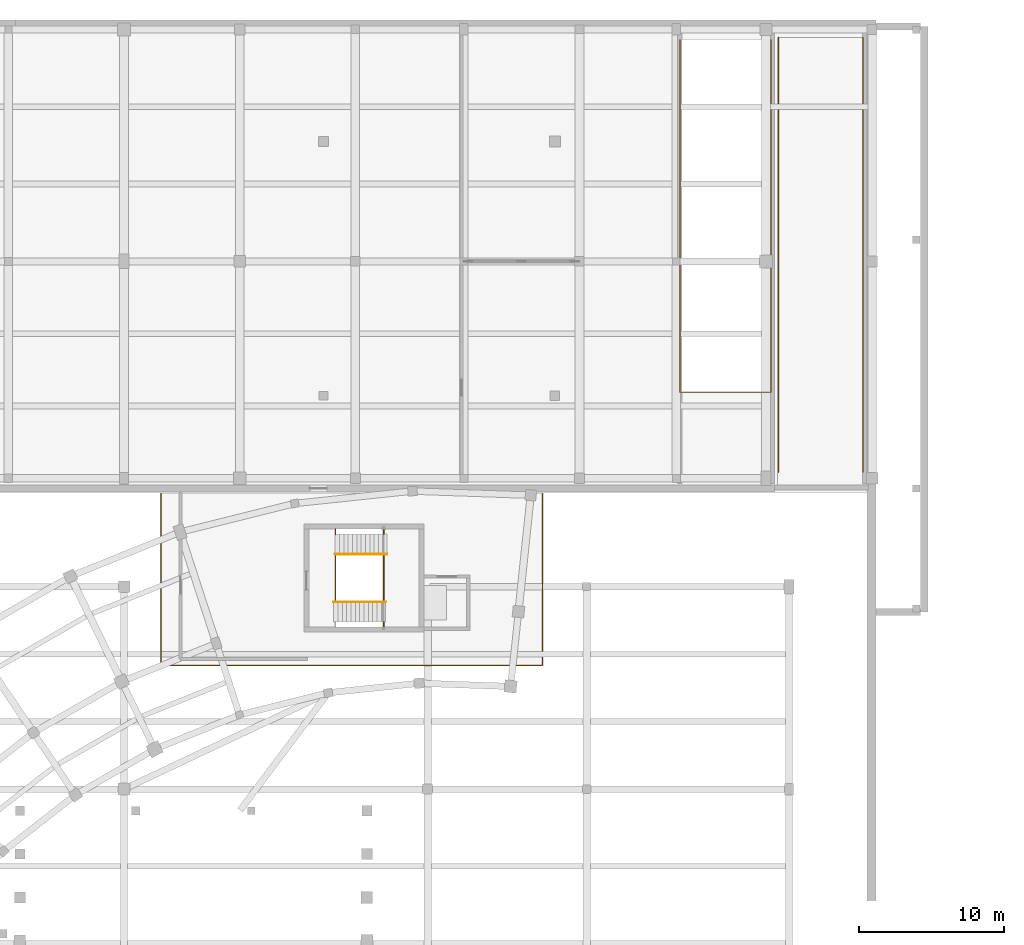
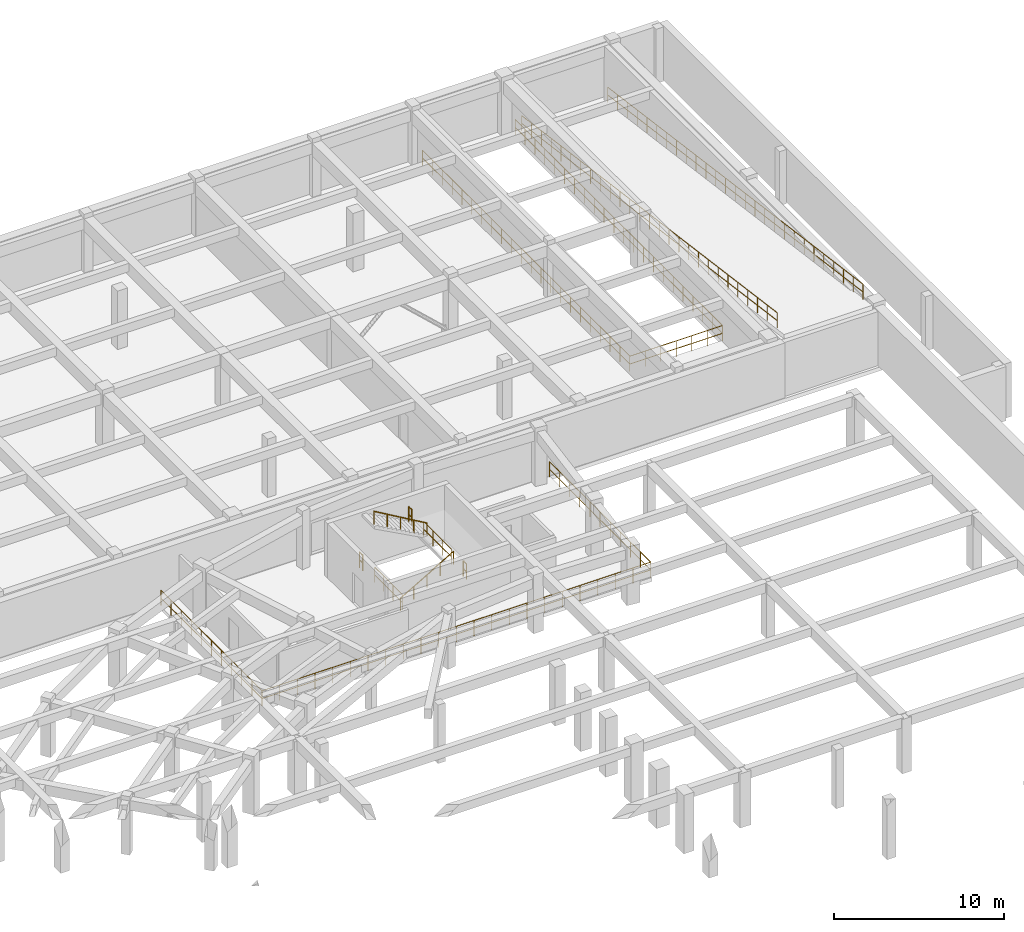
# One storey, part 33 of 35: 11 railings.
"""IFC4 building model written with IfcOpenShell, lengths in metres."""

from ifc_helpers import new_model, si_unit, direction, frame, origin, origin_2d, place, context, subcontext, project, spatial, circle, extrude, material, type_object, element, save


model = new_model("IFC4")

# Units and contexts
model_context = context("Model", 3, precision=1e-05, world=origin(), true_north=direction((0.0, 1.0)))
body_context = subcontext(model_context, "Body", "Model", "MODEL_VIEW")
ifc_project = project(units=[si_unit("LENGTHUNIT", "METRE"), si_unit("AREAUNIT", "SQUARE_METRE"), si_unit("VOLUMEUNIT", "CUBIC_METRE"), si_unit("PLANEANGLEUNIT", "RADIAN"), si_unit("MASSUNIT", "GRAM", prefix="KILO"), si_unit("THERMODYNAMICTEMPERATUREUNIT", "KELVIN"), si_unit("POWERUNIT", "WATT")], contexts=[model_context])

# Site, building, storey
site_placement = place(None, origin())
site = spatial("IfcSite", under=ifc_project, at=site_placement, CompositionType="ELEMENT")
building_placement = place(site_placement, origin())
building = spatial("IfcBuilding", under=site, at=building_placement, Name="Solvatero Civic Police Headquarters", CompositionType="ELEMENT")
storey_placement = place(building_placement, frame((0.0, 0.0, -4.199951171875)))
storey = spatial("IfcBuildingStorey", under=building, at=storey_placement, Name="B01", CompositionType="ELEMENT", Elevation=-4.199951171875)

# Railings
ifc_material_1 = material(Name="Painted Galvanized Steel", Category="steel")
railing_type_1 = type_object("IfcRailingType", Name="RL-GRD-110", PredefinedType="GUARDRAIL", material=ifc_material_1)
railing_1_placement = place(storey_placement, frame((86.6298828125, 76.97998046875, 0.0)))
element("IfcRailing", 1, at=railing_1_placement, inside=storey, type_object=railing_type_1, Name="ST-C3 B01 Floor Well Guardrail", PredefinedType="GUARDRAIL", context=body_context, shape_type="SweptSolid", body=[
    extrude(circle(Radius=0.02392578125, at=origin_2d()), frame((0.0, 0.0, 1.09619140625), z_axis=(0.0, 1.0, 0.0), x_axis=(-1.0, 0.0, 0.0)), (0.0, 0.0, 1.0), 3.239990234375),
    extrude(circle(Radius=0.02392578125, at=origin_2d()), frame((0.0, 0.0, 0.5361328125), z_axis=(0.0, 1.0, 0.0), x_axis=(-1.0, 0.0, 0.0)), (0.0, 0.0, 1.0), 3.239990234375),
    extrude(circle(Radius=0.02099609375, at=origin_2d()), origin(), (0.0, 0.0, 1.0), 1.072021484375),
    extrude(circle(Radius=0.02099609375, at=origin_2d()), frame((0.0, 1.080078125, 0.0)), (0.0, 0.0, 1.0), 1.072021484375),
    extrude(circle(Radius=0.02099609375, at=origin_2d()), frame((0.0, 2.159912109375, 0.0)), (0.0, 0.0, 1.0), 1.072021484375),
    extrude(circle(Radius=0.02099609375, at=origin_2d()), frame((0.0, 3.239990234375, 0.0)), (0.0, 0.0, 1.0), 1.072021484375),
])
railing_2_placement = place(storey_placement, frame((86.6298828125, 81.6298828125, 0.0)))
element("IfcRailing", 2, at=railing_2_placement, inside=storey, type_object=railing_type_1, Name="ST-C3 B01 Floor Well North Slot Guardrail", PredefinedType="GUARDRAIL", context=body_context, shape_type="SweptSolid", body=[
    extrude(circle(Radius=0.02392578125, at=origin_2d()), frame((0.0, 0.0, 1.09619140625), z_axis=(0.0, 1.0, 0.0), x_axis=(-1.0, 0.0, 0.0)), (0.0, 0.0, 1.0), 0.360107421875),
    extrude(circle(Radius=0.02392578125, at=origin_2d()), frame((0.0, 0.0, 0.5361328125), z_axis=(0.0, 1.0, 0.0), x_axis=(-1.0, 0.0, 0.0)), (0.0, 0.0, 1.0), 0.360107421875),
    extrude(circle(Radius=0.02099609375, at=origin_2d()), origin(), (0.0, 0.0, 1.0), 1.072021484375),
    extrude(circle(Radius=0.02099609375, at=origin_2d()), frame((0.0, 0.360107421875, 0.0)), (0.0, 0.0, 1.0), 1.072021484375),
])
railing_3_placement = place(storey_placement, frame((89.969970703125, 76.97998046875, 2.099853515625)))
element("IfcRailing", 3, at=railing_3_placement, inside=storey, type_object=railing_type_1, Name="ST-C3 B01 Half-Landing Well Guardrail", PredefinedType="GUARDRAIL", context=body_context, shape_type="SweptSolid", body=[
    extrude(circle(Radius=0.02392578125, at=origin_2d()), frame((0.0, 0.0, 1.09619140625), z_axis=(0.0, 1.0, 0.0), x_axis=(-1.0, 0.0, 0.0)), (0.0, 0.0, 1.0), 3.239990234375),
    extrude(circle(Radius=0.02392578125, at=origin_2d()), frame((0.0, 0.0, 0.5361328125), z_axis=(0.0, 1.0, 0.0), x_axis=(-1.0, 0.0, 0.0)), (0.0, 0.0, 1.0), 3.239990234375),
    extrude(circle(Radius=0.02099609375, at=origin_2d()), origin(), (0.0, 0.0, 1.0), 1.072021484375),
    extrude(circle(Radius=0.02099609375, at=origin_2d()), frame((0.0, 1.080078125, 0.0)), (0.0, 0.0, 1.0), 1.072021484375),
    extrude(circle(Radius=0.02099609375, at=origin_2d()), frame((0.0, 2.159912109375, 0.0)), (0.0, 0.0, 1.0), 1.072021484375),
    extrude(circle(Radius=0.02099609375, at=origin_2d()), frame((0.0, 3.239990234375, 0.0)), (0.0, 0.0, 1.0), 1.072021484375),
])
for number, where, name in (
    (4, (89.969970703125, 75.2099609375, 2.099853515625), "ST-C3 B01 Half-Landing South Slot Guardrail"),
    (5, (89.969970703125, 81.6298828125, 2.099853515625), "ST-C3 B01 Half-Landing North Slot Guardrail"),
):
    element("IfcRailing", number, at=place(storey_placement, frame(where)), inside=storey, type_object=railing_type_1, Name=name, PredefinedType="GUARDRAIL", context=body_context, shape_type="SweptSolid", body=[
        extrude(circle(Radius=0.02392578125, at=origin_2d()), frame((0.0, 0.0, 1.09619140625), z_axis=(0.0, 1.0, 0.0), x_axis=(-1.0, 0.0, 0.0)), (0.0, 0.0, 1.0), 0.360107421875),
        extrude(circle(Radius=0.02392578125, at=origin_2d()), frame((0.0, 0.0, 0.5361328125), z_axis=(0.0, 1.0, 0.0), x_axis=(-1.0, 0.0, 0.0)), (0.0, 0.0, 1.0), 0.360107421875),
        extrude(circle(Radius=0.02099609375, at=origin_2d()), origin(), (0.0, 0.0, 1.0), 1.072021484375),
        extrude(circle(Radius=0.02099609375, at=origin_2d()), frame((0.0, 0.360107421875, 0.0)), (0.0, 0.0, 1.0), 1.072021484375),
    ])
railing_4_placement = place(storey_placement, frame((110.449951171875, 115.85009765625, 0.0)))
element("IfcRailing", 6, at=railing_4_placement, inside=storey, type_object=railing_type_1, Name="B01 Vehicle Ramp Well Guardrail", PredefinedType="GUARDRAIL", context=body_context, shape_type="SweptSolid", body=[
    extrude(circle(Radius=0.02392578125, at=origin_2d()), frame((0.0, 0.0, 1.09619140625), z_axis=(0.0, -1.0, 0.0), x_axis=(1.0, 0.0, 0.0)), (0.0, 0.0, 1.0), 24.400146484375),
    extrude(circle(Radius=0.02392578125, at=origin_2d()), frame((0.0, 0.0, 0.5361328125), z_axis=(0.0, -1.0, 0.0), x_axis=(1.0, 0.0, 0.0)), (0.0, 0.0, 1.0), 24.400146484375),
    extrude(circle(Radius=0.02392578125, at=origin_2d()), frame((0.0, -24.400146484375, 1.09619140625), z_axis=(1.0, 0.0, 0.0), x_axis=(0.0, 1.0, 0.0)), (0.0, 0.0, 1.0), 6.300048828125),
    extrude(circle(Radius=0.02392578125, at=origin_2d()), frame((0.0, -24.400146484375, 0.5361328125), z_axis=(1.0, 0.0, 0.0), x_axis=(0.0, 1.0, 0.0)), (0.0, 0.0, 1.0), 6.300048828125),
    extrude(circle(Radius=0.02392578125, at=origin_2d()), frame((6.300048828125, -24.400146484375, 1.09619140625), z_axis=(0.0, 1.0, 0.0), x_axis=(-1.0, 0.0, 0.0)), (0.0, 0.0, 1.0), 24.400146484375),
    extrude(circle(Radius=0.02392578125, at=origin_2d()), frame((6.300048828125, -24.400146484375, 0.5361328125), z_axis=(0.0, 1.0, 0.0), x_axis=(-1.0, 0.0, 0.0)), (0.0, 0.0, 1.0), 24.400146484375),
    extrude(circle(Radius=0.02099609375, at=origin_2d()), origin(), (0.0, 0.0, 1.0), 1.072021484375),
    extrude(circle(Radius=0.02099609375, at=origin_2d()), frame((0.0, -1.161865234375, 0.0)), (0.0, 0.0, 1.0), 1.072021484375),
    extrude(circle(Radius=0.02099609375, at=origin_2d()), frame((0.0, -2.32373046875, 0.0)), (0.0, 0.0, 1.0), 1.072021484375),
    extrude(circle(Radius=0.02099609375, at=origin_2d()), frame((0.0, -3.48583984375, 0.0)), (0.0, 0.0, 1.0), 1.072021484375),
    extrude(circle(Radius=0.02099609375, at=origin_2d()), frame((0.0, -4.647705078125, 0.0)), (0.0, 0.0, 1.0), 1.072021484375),
    extrude(circle(Radius=0.02099609375, at=origin_2d()), frame((0.0, -5.8095703125, 0.0)), (0.0, 0.0, 1.0), 1.072021484375),
    extrude(circle(Radius=0.02099609375, at=origin_2d()), frame((0.0, -6.971435546875, 0.0)), (0.0, 0.0, 1.0), 1.072021484375),
    extrude(circle(Radius=0.02099609375, at=origin_2d()), frame((0.0, -8.13330078125, 0.0)), (0.0, 0.0, 1.0), 1.072021484375),
    extrude(circle(Radius=0.02099609375, at=origin_2d()), frame((0.0, -9.29541015625, 0.0)), (0.0, 0.0, 1.0), 1.072021484375),
    extrude(circle(Radius=0.02099609375, at=origin_2d()), frame((0.0, -10.457275390625, 0.0)), (0.0, 0.0, 1.0), 1.072021484375),
    extrude(circle(Radius=0.02099609375, at=origin_2d()), frame((0.0, -11.619140625, 0.0)), (0.0, 0.0, 1.0), 1.072021484375),
    extrude(circle(Radius=0.02099609375, at=origin_2d()), frame((0.0, -12.781005859375, 0.0)), (0.0, 0.0, 1.0), 1.072021484375),
    extrude(circle(Radius=0.02099609375, at=origin_2d()), frame((0.0, -13.94287109375, 0.0)), (0.0, 0.0, 1.0), 1.072021484375),
    extrude(circle(Radius=0.02099609375, at=origin_2d()), frame((0.0, -15.104736328125, 0.0)), (0.0, 0.0, 1.0), 1.072021484375),
    extrude(circle(Radius=0.02099609375, at=origin_2d()), frame((0.0, -16.266845703125, 0.0)), (0.0, 0.0, 1.0), 1.072021484375),
    extrude(circle(Radius=0.02099609375, at=origin_2d()), frame((0.0, -17.4287109375, 0.0)), (0.0, 0.0, 1.0), 1.072021484375),
    extrude(circle(Radius=0.02099609375, at=origin_2d()), frame((0.0, -18.590576171875, 0.0)), (0.0, 0.0, 1.0), 1.072021484375),
    extrude(circle(Radius=0.02099609375, at=origin_2d()), frame((0.0, -19.75244140625, 0.0)), (0.0, 0.0, 1.0), 1.072021484375),
    extrude(circle(Radius=0.02099609375, at=origin_2d()), frame((0.0, -20.914306640625, 0.0)), (0.0, 0.0, 1.0), 1.072021484375),
    extrude(circle(Radius=0.02099609375, at=origin_2d()), frame((0.0, -22.076416015625, 0.0)), (0.0, 0.0, 1.0), 1.072021484375),
    extrude(circle(Radius=0.02099609375, at=origin_2d()), frame((0.0, -23.23828125, 0.0)), (0.0, 0.0, 1.0), 1.072021484375),
    extrude(circle(Radius=0.02099609375, at=origin_2d()), frame((0.0, -24.400146484375, 0.0)), (0.0, 0.0, 1.0), 1.072021484375),
    extrude(circle(Radius=0.02099609375, at=origin_2d()), frame((1.050048828125, -24.400146484375, 0.0)), (0.0, 0.0, 1.0), 1.072021484375),
    extrude(circle(Radius=0.02099609375, at=origin_2d()), frame((2.10009765625, -24.400146484375, 0.0)), (0.0, 0.0, 1.0), 1.072021484375),
    extrude(circle(Radius=0.02099609375, at=origin_2d()), frame((3.14990234375, -24.400146484375, 0.0)), (0.0, 0.0, 1.0), 1.072021484375),
    extrude(circle(Radius=0.02099609375, at=origin_2d()), frame((4.199951171875, -24.400146484375, 0.0)), (0.0, 0.0, 1.0), 1.072021484375),
    extrude(circle(Radius=0.02099609375, at=origin_2d()), frame((5.25, -24.400146484375, 0.0)), (0.0, 0.0, 1.0), 1.072021484375),
    extrude(circle(Radius=0.02099609375, at=origin_2d()), frame((6.300048828125, -24.400146484375, 0.0)), (0.0, 0.0, 1.0), 1.072021484375),
    extrude(circle(Radius=0.02099609375, at=origin_2d()), frame((6.300048828125, -23.23828125, 0.0)), (0.0, 0.0, 1.0), 1.072021484375),
    extrude(circle(Radius=0.02099609375, at=origin_2d()), frame((6.300048828125, -22.076416015625, 0.0)), (0.0, 0.0, 1.0), 1.072021484375),
    extrude(circle(Radius=0.02099609375, at=origin_2d()), frame((6.300048828125, -20.914306640625, 0.0)), (0.0, 0.0, 1.0), 1.072021484375),
    extrude(circle(Radius=0.02099609375, at=origin_2d()), frame((6.300048828125, -19.75244140625, 0.0)), (0.0, 0.0, 1.0), 1.072021484375),
    extrude(circle(Radius=0.02099609375, at=origin_2d()), frame((6.300048828125, -18.590576171875, 0.0)), (0.0, 0.0, 1.0), 1.072021484375),
    extrude(circle(Radius=0.02099609375, at=origin_2d()), frame((6.300048828125, -17.4287109375, 0.0)), (0.0, 0.0, 1.0), 1.072021484375),
    extrude(circle(Radius=0.02099609375, at=origin_2d()), frame((6.300048828125, -16.266845703125, 0.0)), (0.0, 0.0, 1.0), 1.072021484375),
    extrude(circle(Radius=0.02099609375, at=origin_2d()), frame((6.300048828125, -15.104736328125, 0.0)), (0.0, 0.0, 1.0), 1.072021484375),
    extrude(circle(Radius=0.02099609375, at=origin_2d()), frame((6.300048828125, -13.94287109375, 0.0)), (0.0, 0.0, 1.0), 1.072021484375),
    extrude(circle(Radius=0.02099609375, at=origin_2d()), frame((6.300048828125, -12.781005859375, 0.0)), (0.0, 0.0, 1.0), 1.072021484375),
    extrude(circle(Radius=0.02099609375, at=origin_2d()), frame((6.300048828125, -11.619140625, 0.0)), (0.0, 0.0, 1.0), 1.072021484375),
    extrude(circle(Radius=0.02099609375, at=origin_2d()), frame((6.300048828125, -10.457275390625, 0.0)), (0.0, 0.0, 1.0), 1.072021484375),
    extrude(circle(Radius=0.02099609375, at=origin_2d()), frame((6.300048828125, -9.29541015625, 0.0)), (0.0, 0.0, 1.0), 1.072021484375),
    extrude(circle(Radius=0.02099609375, at=origin_2d()), frame((6.300048828125, -8.13330078125, 0.0)), (0.0, 0.0, 1.0), 1.072021484375),
    extrude(circle(Radius=0.02099609375, at=origin_2d()), frame((6.300048828125, -6.971435546875, 0.0)), (0.0, 0.0, 1.0), 1.072021484375),
    extrude(circle(Radius=0.02099609375, at=origin_2d()), frame((6.300048828125, -5.8095703125, 0.0)), (0.0, 0.0, 1.0), 1.072021484375),
    extrude(circle(Radius=0.02099609375, at=origin_2d()), frame((6.300048828125, -4.647705078125, 0.0)), (0.0, 0.0, 1.0), 1.072021484375),
    extrude(circle(Radius=0.02099609375, at=origin_2d()), frame((6.300048828125, -3.48583984375, 0.0)), (0.0, 0.0, 1.0), 1.072021484375),
    extrude(circle(Radius=0.02099609375, at=origin_2d()), frame((6.300048828125, -2.32373046875, 0.0)), (0.0, 0.0, 1.0), 1.072021484375),
    extrude(circle(Radius=0.02099609375, at=origin_2d()), frame((6.300048828125, -1.161865234375, 0.0)), (0.0, 0.0, 1.0), 1.072021484375),
    extrude(circle(Radius=0.02099609375, at=origin_2d()), frame((6.300048828125, 0.0, 0.0)), (0.0, 0.0, 1.0), 1.072021484375),
])
railing_5_placement = place(storey_placement, frame((117.280029296875, 116.0, 0.0)))
element("IfcRailing", 7, at=railing_5_placement, inside=storey, type_object=railing_type_1, Name="Deck Safety Guardrail RL-VRMP-B01-W", PredefinedType="GUARDRAIL", context=body_context, shape_type="SweptSolid", body=[
    extrude(circle(Radius=0.02392578125, at=origin_2d()), frame((0.0, 0.0, 1.09619140625), z_axis=(0.0, -0.990951899327, 0.134217484776), x_axis=(1.0, 0.0, 0.0)), (0.0, 0.0, 1.0), 30.324462890625),
    extrude(circle(Radius=0.02392578125, at=origin_2d()), frame((0.0, 0.0, 0.5361328125), z_axis=(0.0, -0.990951899327, 0.134217484776), x_axis=(1.0, 0.0, 0.0)), (0.0, 0.0, 1.0), 30.324462890625),
    extrude(circle(Radius=0.02099609375, at=origin_2d()), origin(), (0.0, 0.0, 1.0), 1.072021484375),
    extrude(circle(Radius=0.02099609375, at=origin_2d()), frame((0.0, -1.15576171875, 0.156494140625)), (0.0, 0.0, 1.0), 1.072021484375),
    extrude(circle(Radius=0.02099609375, at=origin_2d()), frame((0.0, -2.3115234375, 0.31298828125)), (0.0, 0.0, 1.0), 1.072021484375),
    extrude(circle(Radius=0.02099609375, at=origin_2d()), frame((0.0, -3.46728515625, 0.4697265625)), (0.0, 0.0, 1.0), 1.072021484375),
    extrude(circle(Radius=0.02099609375, at=origin_2d()), frame((0.0, -4.623046875, 0.626220703125)), (0.0, 0.0, 1.0), 1.072021484375),
    extrude(circle(Radius=0.02099609375, at=origin_2d()), frame((0.0, -5.77880859375, 0.78271484375)), (0.0, 0.0, 1.0), 1.072021484375),
    extrude(circle(Radius=0.02099609375, at=origin_2d()), frame((0.0, -6.9345703125, 0.939208984375)), (0.0, 0.0, 1.0), 1.072021484375),
    extrude(circle(Radius=0.02099609375, at=origin_2d()), frame((0.0, -8.09033203125, 1.095703125)), (0.0, 0.0, 1.0), 1.072021484375),
    extrude(circle(Radius=0.02099609375, at=origin_2d()), frame((0.0, -9.24609375, 1.25244140625)), (0.0, 0.0, 1.0), 1.072021484375),
    extrude(circle(Radius=0.02099609375, at=origin_2d()), frame((0.0, -10.40185546875, 1.408935546875)), (0.0, 0.0, 1.0), 1.072021484375),
    extrude(circle(Radius=0.02099609375, at=origin_2d()), frame((0.0, -11.5576171875, 1.5654296875)), (0.0, 0.0, 1.0), 1.072021484375),
    extrude(circle(Radius=0.02099609375, at=origin_2d()), frame((0.0, -12.71337890625, 1.721923828125)), (0.0, 0.0, 1.0), 1.072021484375),
    extrude(circle(Radius=0.02099609375, at=origin_2d()), frame((0.0, -13.869140625, 1.87841796875)), (0.0, 0.0, 1.0), 1.072021484375),
    extrude(circle(Radius=0.02099609375, at=origin_2d()), frame((0.0, -15.02490234375, 2.03515625)), (0.0, 0.0, 1.0), 1.072021484375),
    extrude(circle(Radius=0.02099609375, at=origin_2d()), frame((0.0, -16.180908203125, 2.191650390625)), (0.0, 0.0, 1.0), 1.072021484375),
    extrude(circle(Radius=0.02099609375, at=origin_2d()), frame((0.0, -17.336669921875, 2.34814453125)), (0.0, 0.0, 1.0), 1.072021484375),
    extrude(circle(Radius=0.02099609375, at=origin_2d()), frame((0.0, -18.492431640625, 2.504638671875)), (0.0, 0.0, 1.0), 1.072021484375),
    extrude(circle(Radius=0.02099609375, at=origin_2d()), frame((0.0, -19.648193359375, 2.6611328125)), (0.0, 0.0, 1.0), 1.072021484375),
    extrude(circle(Radius=0.02099609375, at=origin_2d()), frame((0.0, -20.803955078125, 2.817626953125)), (0.0, 0.0, 1.0), 1.072021484375),
    extrude(circle(Radius=0.02099609375, at=origin_2d()), frame((0.0, -21.959716796875, 2.974365234375)), (0.0, 0.0, 1.0), 1.072021484375),
    extrude(circle(Radius=0.02099609375, at=origin_2d()), frame((0.0, -23.115478515625, 3.130859375)), (0.0, 0.0, 1.0), 1.072021484375),
    extrude(circle(Radius=0.02099609375, at=origin_2d()), frame((0.0, -24.271240234375, 3.287353515625)), (0.0, 0.0, 1.0), 1.072021484375),
    extrude(circle(Radius=0.02099609375, at=origin_2d()), frame((0.0, -25.427001953125, 3.44384765625)), (0.0, 0.0, 1.0), 1.072021484375),
    extrude(circle(Radius=0.02099609375, at=origin_2d()), frame((0.0, -26.582763671875, 3.600341796875)), (0.0, 0.0, 1.0), 1.072021484375),
    extrude(circle(Radius=0.02099609375, at=origin_2d()), frame((0.0, -27.738525390625, 3.757080078125)), (0.0, 0.0, 1.0), 1.072021484375),
    extrude(circle(Radius=0.02099609375, at=origin_2d()), frame((0.0, -28.894287109375, 3.91357421875)), (0.0, 0.0, 1.0), 1.072021484375),
    extrude(circle(Radius=0.02099609375, at=origin_2d()), frame((0.0, -30.050048828125, 4.070068359375)), (0.0, 0.0, 1.0), 1.072021484375),
])
railing_6_placement = place(storey_placement, frame((123.1201171875, 116.0, 0.0)))
element("IfcRailing", 8, at=railing_6_placement, inside=storey, type_object=railing_type_1, Name="Deck Safety Guardrail RL-VRMP-B01-E", PredefinedType="GUARDRAIL", context=body_context, shape_type="SweptSolid", body=[
    extrude(circle(Radius=0.02392578125, at=origin_2d()), frame((0.0, 0.0, 1.09619140625), z_axis=(0.0, -0.990951899327, 0.134217484776), x_axis=(1.0, 0.0, 0.0)), (0.0, 0.0, 1.0), 30.324462890625),
    extrude(circle(Radius=0.02392578125, at=origin_2d()), frame((0.0, 0.0, 0.5361328125), z_axis=(0.0, -0.990951899327, 0.134217484776), x_axis=(1.0, 0.0, 0.0)), (0.0, 0.0, 1.0), 30.324462890625),
    extrude(circle(Radius=0.02099609375, at=origin_2d()), origin(), (0.0, 0.0, 1.0), 1.072021484375),
    extrude(circle(Radius=0.02099609375, at=origin_2d()), frame((0.0, -1.15576171875, 0.156494140625)), (0.0, 0.0, 1.0), 1.072021484375),
    extrude(circle(Radius=0.02099609375, at=origin_2d()), frame((0.0, -2.3115234375, 0.31298828125)), (0.0, 0.0, 1.0), 1.072021484375),
    extrude(circle(Radius=0.02099609375, at=origin_2d()), frame((0.0, -3.46728515625, 0.4697265625)), (0.0, 0.0, 1.0), 1.072021484375),
    extrude(circle(Radius=0.02099609375, at=origin_2d()), frame((0.0, -4.623046875, 0.626220703125)), (0.0, 0.0, 1.0), 1.072021484375),
    extrude(circle(Radius=0.02099609375, at=origin_2d()), frame((0.0, -5.77880859375, 0.78271484375)), (0.0, 0.0, 1.0), 1.072021484375),
    extrude(circle(Radius=0.02099609375, at=origin_2d()), frame((0.0, -6.9345703125, 0.939208984375)), (0.0, 0.0, 1.0), 1.072021484375),
    extrude(circle(Radius=0.02099609375, at=origin_2d()), frame((0.0, -8.09033203125, 1.095703125)), (0.0, 0.0, 1.0), 1.072021484375),
    extrude(circle(Radius=0.02099609375, at=origin_2d()), frame((0.0, -9.24609375, 1.25244140625)), (0.0, 0.0, 1.0), 1.072021484375),
    extrude(circle(Radius=0.02099609375, at=origin_2d()), frame((0.0, -10.40185546875, 1.408935546875)), (0.0, 0.0, 1.0), 1.072021484375),
    extrude(circle(Radius=0.02099609375, at=origin_2d()), frame((0.0, -11.5576171875, 1.5654296875)), (0.0, 0.0, 1.0), 1.072021484375),
    extrude(circle(Radius=0.02099609375, at=origin_2d()), frame((0.0, -12.71337890625, 1.721923828125)), (0.0, 0.0, 1.0), 1.072021484375),
    extrude(circle(Radius=0.02099609375, at=origin_2d()), frame((0.0, -13.869140625, 1.87841796875)), (0.0, 0.0, 1.0), 1.072021484375),
    extrude(circle(Radius=0.02099609375, at=origin_2d()), frame((0.0, -15.02490234375, 2.03515625)), (0.0, 0.0, 1.0), 1.072021484375),
    extrude(circle(Radius=0.02099609375, at=origin_2d()), frame((0.0, -16.180908203125, 2.191650390625)), (0.0, 0.0, 1.0), 1.072021484375),
    extrude(circle(Radius=0.02099609375, at=origin_2d()), frame((0.0, -17.336669921875, 2.34814453125)), (0.0, 0.0, 1.0), 1.072021484375),
    extrude(circle(Radius=0.02099609375, at=origin_2d()), frame((0.0, -18.492431640625, 2.504638671875)), (0.0, 0.0, 1.0), 1.072021484375),
    extrude(circle(Radius=0.02099609375, at=origin_2d()), frame((0.0, -19.648193359375, 2.6611328125)), (0.0, 0.0, 1.0), 1.072021484375),
    extrude(circle(Radius=0.02099609375, at=origin_2d()), frame((0.0, -20.803955078125, 2.817626953125)), (0.0, 0.0, 1.0), 1.072021484375),
    extrude(circle(Radius=0.02099609375, at=origin_2d()), frame((0.0, -21.959716796875, 2.974365234375)), (0.0, 0.0, 1.0), 1.072021484375),
    extrude(circle(Radius=0.02099609375, at=origin_2d()), frame((0.0, -23.115478515625, 3.130859375)), (0.0, 0.0, 1.0), 1.072021484375),
    extrude(circle(Radius=0.02099609375, at=origin_2d()), frame((0.0, -24.271240234375, 3.287353515625)), (0.0, 0.0, 1.0), 1.072021484375),
    extrude(circle(Radius=0.02099609375, at=origin_2d()), frame((0.0, -25.427001953125, 3.44384765625)), (0.0, 0.0, 1.0), 1.072021484375),
    extrude(circle(Radius=0.02099609375, at=origin_2d()), frame((0.0, -26.582763671875, 3.600341796875)), (0.0, 0.0, 1.0), 1.072021484375),
    extrude(circle(Radius=0.02099609375, at=origin_2d()), frame((0.0, -27.738525390625, 3.757080078125)), (0.0, 0.0, 1.0), 1.072021484375),
    extrude(circle(Radius=0.02099609375, at=origin_2d()), frame((0.0, -28.894287109375, 3.91357421875)), (0.0, 0.0, 1.0), 1.072021484375),
    extrude(circle(Radius=0.02099609375, at=origin_2d()), frame((0.0, -30.050048828125, 4.070068359375)), (0.0, 0.0, 1.0), 1.072021484375),
])
railing_7_placement = place(storey_placement, frame((74.550048828125, 84.449951171875, 0.0)))
element("IfcRailing", 9, at=railing_7_placement, inside=storey, type_object=railing_type_1, Name="Deck Safety Guardrail RL-B01-C3-PERIM", PredefinedType="GUARDRAIL", context=body_context, shape_type="SweptSolid", body=[
    extrude(circle(Radius=0.02392578125, at=origin_2d()), frame((0.0, 0.0, 1.09619140625), z_axis=(0.0, -1.0, 0.0), x_axis=(1.0, 0.0, 0.0)), (0.0, 0.0, 1.0), 11.89990234375),
    extrude(circle(Radius=0.02392578125, at=origin_2d()), frame((0.0, 0.0, 0.5361328125), z_axis=(0.0, -1.0, 0.0), x_axis=(1.0, 0.0, 0.0)), (0.0, 0.0, 1.0), 11.89990234375),
    extrude(circle(Radius=0.02392578125, at=origin_2d()), frame((0.0, -11.89990234375, 1.09619140625), z_axis=(1.0, 0.0, 0.0), x_axis=(0.0, 1.0, 0.0)), (0.0, 0.0, 1.0), 26.39990234375),
    extrude(circle(Radius=0.02392578125, at=origin_2d()), frame((0.0, -11.89990234375, 0.5361328125), z_axis=(1.0, 0.0, 0.0), x_axis=(0.0, 1.0, 0.0)), (0.0, 0.0, 1.0), 26.39990234375),
    extrude(circle(Radius=0.02392578125, at=origin_2d()), frame((26.39990234375, -11.89990234375, 1.09619140625), z_axis=(0.0, 1.0, 0.0), x_axis=(-1.0, 0.0, 0.0)), (0.0, 0.0, 1.0), 11.89990234375),
    extrude(circle(Radius=0.02392578125, at=origin_2d()), frame((26.39990234375, -11.89990234375, 0.5361328125), z_axis=(0.0, 1.0, 0.0), x_axis=(-1.0, 0.0, 0.0)), (0.0, 0.0, 1.0), 11.89990234375),
    extrude(circle(Radius=0.02099609375, at=origin_2d()), origin(), (0.0, 0.0, 1.0), 1.072021484375),
    extrude(circle(Radius=0.02099609375, at=origin_2d()), frame((0.0, -1.18994140625, 0.0)), (0.0, 0.0, 1.0), 1.072021484375),
    extrude(circle(Radius=0.02099609375, at=origin_2d()), frame((0.0, -2.3798828125, 0.0)), (0.0, 0.0, 1.0), 1.072021484375),
    extrude(circle(Radius=0.02099609375, at=origin_2d()), frame((0.0, -3.570068359375, 0.0)), (0.0, 0.0, 1.0), 1.072021484375),
    extrude(circle(Radius=0.02099609375, at=origin_2d()), frame((0.0, -4.760009765625, 0.0)), (0.0, 0.0, 1.0), 1.072021484375),
    extrude(circle(Radius=0.02099609375, at=origin_2d()), frame((0.0, -5.949951171875, 0.0)), (0.0, 0.0, 1.0), 1.072021484375),
    extrude(circle(Radius=0.02099609375, at=origin_2d()), frame((0.0, -7.139892578125, 0.0)), (0.0, 0.0, 1.0), 1.072021484375),
    extrude(circle(Radius=0.02099609375, at=origin_2d()), frame((0.0, -8.329833984375, 0.0)), (0.0, 0.0, 1.0), 1.072021484375),
    extrude(circle(Radius=0.02099609375, at=origin_2d()), frame((0.0, -9.52001953125, 0.0)), (0.0, 0.0, 1.0), 1.072021484375),
    extrude(circle(Radius=0.02099609375, at=origin_2d()), frame((0.0, -10.7099609375, 0.0)), (0.0, 0.0, 1.0), 1.072021484375),
    extrude(circle(Radius=0.02099609375, at=origin_2d()), frame((0.0, -11.89990234375, 0.0)), (0.0, 0.0, 1.0), 1.072021484375),
    extrude(circle(Radius=0.02099609375, at=origin_2d()), frame((1.199951171875, -11.89990234375, 0.0)), (0.0, 0.0, 1.0), 1.072021484375),
    extrude(circle(Radius=0.02099609375, at=origin_2d()), frame((2.39990234375, -11.89990234375, 0.0)), (0.0, 0.0, 1.0), 1.072021484375),
    extrude(circle(Radius=0.02099609375, at=origin_2d()), frame((3.60009765625, -11.89990234375, 0.0)), (0.0, 0.0, 1.0), 1.072021484375),
    extrude(circle(Radius=0.02099609375, at=origin_2d()), frame((4.800048828125, -11.89990234375, 0.0)), (0.0, 0.0, 1.0), 1.072021484375),
    extrude(circle(Radius=0.02099609375, at=origin_2d()), frame((6.0, -11.89990234375, 0.0)), (0.0, 0.0, 1.0), 1.072021484375),
    extrude(circle(Radius=0.02099609375, at=origin_2d()), frame((7.199951171875, -11.89990234375, 0.0)), (0.0, 0.0, 1.0), 1.072021484375),
    extrude(circle(Radius=0.02099609375, at=origin_2d()), frame((8.39990234375, -11.89990234375, 0.0)), (0.0, 0.0, 1.0), 1.072021484375),
    extrude(circle(Radius=0.02099609375, at=origin_2d()), frame((9.599853515625, -11.89990234375, 0.0)), (0.0, 0.0, 1.0), 1.072021484375),
    extrude(circle(Radius=0.02099609375, at=origin_2d()), frame((10.800048828125, -11.89990234375, 0.0)), (0.0, 0.0, 1.0), 1.072021484375),
    extrude(circle(Radius=0.02099609375, at=origin_2d()), frame((12.0, -11.89990234375, 0.0)), (0.0, 0.0, 1.0), 1.072021484375),
    extrude(circle(Radius=0.02099609375, at=origin_2d()), frame((13.199951171875, -11.89990234375, 0.0)), (0.0, 0.0, 1.0), 1.072021484375),
    extrude(circle(Radius=0.02099609375, at=origin_2d()), frame((14.39990234375, -11.89990234375, 0.0)), (0.0, 0.0, 1.0), 1.072021484375),
    extrude(circle(Radius=0.02099609375, at=origin_2d()), frame((15.599853515625, -11.89990234375, 0.0)), (0.0, 0.0, 1.0), 1.072021484375),
    extrude(circle(Radius=0.02099609375, at=origin_2d()), frame((16.800048828125, -11.89990234375, 0.0)), (0.0, 0.0, 1.0), 1.072021484375),
    extrude(circle(Radius=0.02099609375, at=origin_2d()), frame((18.0, -11.89990234375, 0.0)), (0.0, 0.0, 1.0), 1.072021484375),
    extrude(circle(Radius=0.02099609375, at=origin_2d()), frame((19.199951171875, -11.89990234375, 0.0)), (0.0, 0.0, 1.0), 1.072021484375),
    extrude(circle(Radius=0.02099609375, at=origin_2d()), frame((20.39990234375, -11.89990234375, 0.0)), (0.0, 0.0, 1.0), 1.072021484375),
    extrude(circle(Radius=0.02099609375, at=origin_2d()), frame((21.599853515625, -11.89990234375, 0.0)), (0.0, 0.0, 1.0), 1.072021484375),
    extrude(circle(Radius=0.02099609375, at=origin_2d()), frame((22.7998046875, -11.89990234375, 0.0)), (0.0, 0.0, 1.0), 1.072021484375),
    extrude(circle(Radius=0.02099609375, at=origin_2d()), frame((24.0, -11.89990234375, 0.0)), (0.0, 0.0, 1.0), 1.072021484375),
    extrude(circle(Radius=0.02099609375, at=origin_2d()), frame((25.199951171875, -11.89990234375, 0.0)), (0.0, 0.0, 1.0), 1.072021484375),
    extrude(circle(Radius=0.02099609375, at=origin_2d()), frame((26.39990234375, -11.89990234375, 0.0)), (0.0, 0.0, 1.0), 1.072021484375),
    extrude(circle(Radius=0.02099609375, at=origin_2d()), frame((26.39990234375, -10.7099609375, 0.0)), (0.0, 0.0, 1.0), 1.072021484375),
    extrude(circle(Radius=0.02099609375, at=origin_2d()), frame((26.39990234375, -9.52001953125, 0.0)), (0.0, 0.0, 1.0), 1.072021484375),
    extrude(circle(Radius=0.02099609375, at=origin_2d()), frame((26.39990234375, -8.329833984375, 0.0)), (0.0, 0.0, 1.0), 1.072021484375),
    extrude(circle(Radius=0.02099609375, at=origin_2d()), frame((26.39990234375, -7.139892578125, 0.0)), (0.0, 0.0, 1.0), 1.072021484375),
    extrude(circle(Radius=0.02099609375, at=origin_2d()), frame((26.39990234375, -5.949951171875, 0.0)), (0.0, 0.0, 1.0), 1.072021484375),
    extrude(circle(Radius=0.02099609375, at=origin_2d()), frame((26.39990234375, -4.760009765625, 0.0)), (0.0, 0.0, 1.0), 1.072021484375),
    extrude(circle(Radius=0.02099609375, at=origin_2d()), frame((26.39990234375, -3.570068359375, 0.0)), (0.0, 0.0, 1.0), 1.072021484375),
    extrude(circle(Radius=0.02099609375, at=origin_2d()), frame((26.39990234375, -2.3798828125, 0.0)), (0.0, 0.0, 1.0), 1.072021484375),
    extrude(circle(Radius=0.02099609375, at=origin_2d()), frame((26.39990234375, -1.18994140625, 0.0)), (0.0, 0.0, 1.0), 1.072021484375),
    extrude(circle(Radius=0.02099609375, at=origin_2d()), frame((26.39990234375, 0.0, 0.0)), (0.0, 0.0, 1.0), 1.072021484375),
])
ifc_material_2 = material(Name="Brushed Stainless Steel", Category="steel")
railing_type_2 = type_object("IfcRailingType", Name="RL-HND-092", PredefinedType="HANDRAIL", material=ifc_material_2)
railing_8_placement = place(storey_placement, frame((86.5, 76.949951171875, 0.0)))
element("IfcRailing", 10, at=railing_8_placement, inside=storey, type_object=railing_type_2, Name="ST-C3 B01 Flight 1 Handrail", PredefinedType="HANDRAIL", context=body_context, shape_type="SweptSolid", body=[
    extrude(circle(Radius=0.02392578125, at=origin_2d()), frame((0.0, 0.0, 0.89599609375), z_axis=(0.863800146258, 0.0, 0.503834603144), x_axis=(0.0, 1.0, 0.0)), (0.0, 0.0, 1.0), 4.167724609375),
    extrude(circle(Radius=0.02099609375, at=origin_2d()), origin(), (0.0, 0.0, 1.0), 0.871826171875),
    extrude(circle(Radius=0.02099609375, at=origin_2d()), frame((0.89990234375, 0.0, 0.52490234375)), (0.0, 0.0, 1.0), 0.871826171875),
    extrude(circle(Radius=0.02099609375, at=origin_2d()), frame((1.800048828125, 0.0, 1.0498046875)), (0.0, 0.0, 1.0), 0.871826171875),
    extrude(circle(Radius=0.02099609375, at=origin_2d()), frame((2.7001953125, 0.0, 1.574951171875)), (0.0, 0.0, 1.0), 0.871826171875),
    extrude(circle(Radius=0.02099609375, at=origin_2d()), frame((3.60009765625, 0.0, 2.099853515625)), (0.0, 0.0, 1.0), 0.871826171875),
])
railing_9_placement = place(storey_placement, frame((90.199951171875, 80.25, 2.099853515625)))
element("IfcRailing", 11, at=railing_9_placement, inside=storey, type_object=railing_type_2, Name="ST-C3 B01 Flight 2 Handrail", PredefinedType="HANDRAIL", context=body_context, shape_type="SweptSolid", body=[
    extrude(circle(Radius=0.02392578125, at=origin_2d()), frame((0.0, 0.0, 0.89599609375), z_axis=(-0.863759778359, 0.0, 0.503903805591), x_axis=(0.0, -1.0, 0.0)), (0.0, 0.0, 1.0), 4.167724609375),
    extrude(circle(Radius=0.02099609375, at=origin_2d()), origin(), (0.0, 0.0, 1.0), 0.871826171875),
    extrude(circle(Radius=0.02099609375, at=origin_2d()), frame((-0.89990234375, 0.0, 0.52490234375)), (0.0, 0.0, 1.0), 0.871826171875),
    extrude(circle(Radius=0.02099609375, at=origin_2d()), frame((-1.7998046875, 0.0, 1.050048828125)), (0.0, 0.0, 1.0), 0.871826171875),
    extrude(circle(Radius=0.02099609375, at=origin_2d()), frame((-2.699951171875, 0.0, 1.5751953125)), (0.0, 0.0, 1.0), 0.871826171875),
    extrude(circle(Radius=0.02099609375, at=origin_2d()), frame((-3.599853515625, 0.0, 2.10009765625)), (0.0, 0.0, 1.0), 0.871826171875),
])

save(model, "model.ifc")
